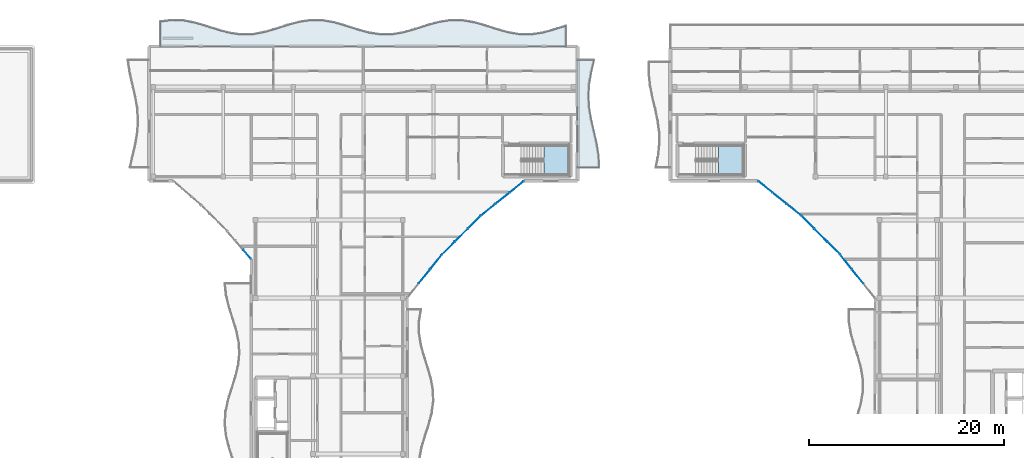
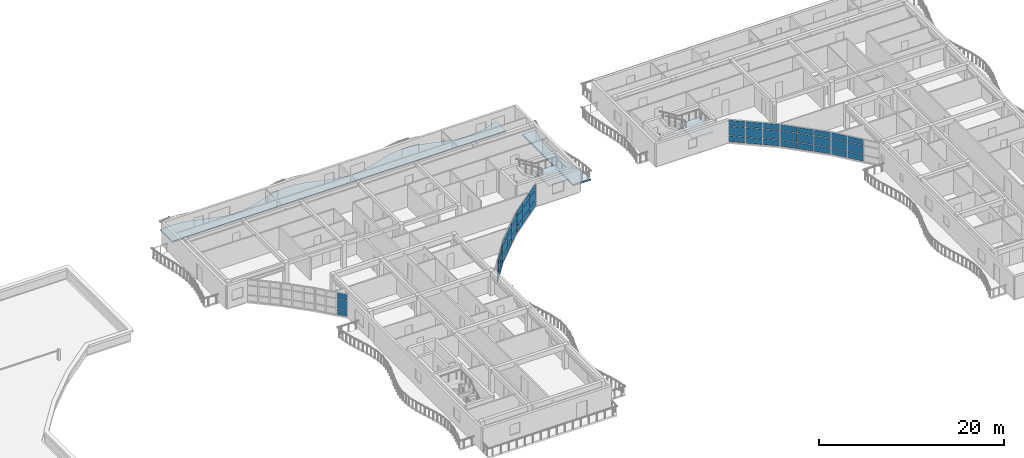
# One storey, part 19 of 39: 51 plates, 4 slabs, 9 elements without a shape of their own.
"""IFC4 building model written with IfcOpenShell, lengths in metres."""

from ifc_helpers import new_model, si_unit, direction, frame, origin, origin_2d, place, context, subcontext, project, spatial, polyline, rectangle, outline, extrude, material, layer, layer_set, type_object, element, aggregate, save


model = new_model("IFC4")

# Units and contexts
model_context = context("Model", 3, precision=1e-05, world=origin(), true_north=direction((0.0, 1.0)))
body_context = subcontext(model_context, "Body", "Model", "MODEL_VIEW")
ifc_project = project(units=[si_unit("LENGTHUNIT", "METRE"), si_unit("AREAUNIT", "SQUARE_METRE"), si_unit("VOLUMEUNIT", "CUBIC_METRE"), si_unit("PLANEANGLEUNIT", "RADIAN"), si_unit("MASSUNIT", "GRAM", prefix="KILO")], contexts=[model_context])

# Site, building, storey
site_placement = place(None, origin())
site = spatial("IfcSite", under=ifc_project, at=site_placement, CompositionType="ELEMENT")
building_placement = place(site_placement, origin())
building = spatial("IfcBuilding", under=site, at=building_placement, Name="Keldmere Railside Commons", CompositionType="ELEMENT")
storey_placement = place(building_placement, frame((0.0, 0.0, 32.9599609375)))
storey = spatial("IfcBuildingStorey", under=building, at=storey_placement, Name="L10", CompositionType="ELEMENT", Elevation=32.9599609375)

# Stair, slab
ifc_material_1 = material(Name="Concrete H-30 (C30/37)", Category="concrete")
stair_type_1 = type_object("IfcStairType", Name="Basement Garage Dogleg Escape Stair 1450", PredefinedType="HALF_TURN_STAIR", material=ifc_material_1)
stair_1_placement = place(storey_placement, origin())
stair_1 = element("IfcStair", 1, at=stair_1_placement, inside=storey, type_object=stair_type_1, Name="L10 Block B Secondary Escape Stair 2", PredefinedType="HALF_TURN_STAIR")
ifc_layer_1 = layer(ifc_material_1, 0.199951171875, Name="Enclosed Stair Landing Slab 200")
ifc_layer_set_1 = layer_set([ifc_layer_1], Name="Concrete H-30 (C30/37)")
slab_type_1 = type_object("IfcSlabType", Name="Enclosed Stair Landing Slab 200", PredefinedType="LANDING", material=ifc_layer_set_1)
slab_1_placement = place(storey_placement, frame((0.0, 0.0, 1.400146484375)))
slab_1 = element("IfcSlab", 2, at=slab_1_placement, type_object=slab_type_1, Name="ST-B2 landing 1", PredefinedType="LANDING", context=body_context, shape_type="SweptSolid", body=[
    extrude(outline(polyline([(134.02001953125, 100.60009765625), (136.60009765625, 100.60009765625), (136.60009765625, 103.64990234375), (134.02001953125, 103.64990234375), (134.02001953125, 100.60009765625)])), origin(), (0.0, 0.0, 1.0), 0.199951171875),
])
aggregate(stair_1, [slab_1])

stair_type_2 = type_object("IfcStairType", Name="Residential Core Dogleg Stair 1450", PredefinedType="HALF_TURN_STAIR", material=ifc_material_1)
stair_2_placement = place(storey_placement, origin())
stair_2 = element("IfcStair", 3, at=stair_2_placement, inside=storey, type_object=stair_type_2, Name="L10 Block A Secondary Escape Stair 2", PredefinedType="HALF_TURN_STAIR")
slab_2_placement = place(storey_placement, frame((0.0, 0.0, 1.400146484375)))
slab_2 = element("IfcSlab", 4, at=slab_2_placement, type_object=slab_type_1, Name="ST-A2 landing 1", PredefinedType="LANDING", context=body_context, shape_type="SweptSolid", body=[
    extrude(outline(polyline([(151.919921875, 100.60009765625), (154.5, 100.60009765625), (154.5, 103.64990234375), (151.919921875, 103.64990234375), (151.919921875, 100.60009765625)])), origin(), (0.0, 0.0, 1.0), 0.199951171875),
])
aggregate(stair_2, [slab_2])

# Curtain wall, plates
ifc_material_2 = material(Name="Thermally Broken Aluminium", Category="aluminium")
ifc_layer_2 = layer(ifc_material_2, 0.159912109375, Name="Court Chord Wintergarden CW 5400x2850")
ifc_layer_set_2 = layer_set([ifc_layer_2], Name="Thermally Broken Aluminium")
curtain_wall_type_1 = type_object("IfcCurtainWallType", Name="Court Chord Wintergarden CW 5400x2850", PredefinedType="NOTDEFINED", material=ifc_layer_set_2)
curtain_wall_1_placement = place(storey_placement, origin())
curtain_wall_1 = element("IfcCurtainWall", 5, at=curtain_wall_1_placement, inside=storey, type_object=curtain_wall_type_1, Name="CW-13 CW-L10-146", PredefinedType="NOTDEFINED")
ifc_material_3 = material(Name="Insulated Aluminium Spandrel Panel", Category="aluminium")
ifc_layer_3 = layer(ifc_material_3, 0.0439453125, Name="Insulated Ocher Spandrel Panel 44")
ifc_layer_set_3 = layer_set([ifc_layer_3], Name="Insulated Aluminium Spandrel Panel")
plate_type_1 = type_object("IfcPlateType", Name="Insulated Ocher Spandrel Panel 44", PredefinedType="CURTAIN_PANEL", material=ifc_layer_set_3)
plate_1_placement = place(storey_placement, frame((126.88916015625, 95.76513671875, 0.06494140625), z_axis=(0.0, 0.0, 1.0), x_axis=(-0.707106781187, -0.707106781187, 0.0)))
plate_1 = element("IfcPlate", 6, at=plate_1_placement, type_object=plate_type_1, Name="CW-13 panel 1.1", PredefinedType="CURTAIN_PANEL", context=body_context, shape_type="SweptSolid", body=[
    extrude(rectangle(XDim=1.795654296875, YDim=0.0439453125, at=origin_2d()), origin(), (0.0, 0.0, 1.0), 0.802490234375),
])
plate_2_placement = place(storey_placement, frame((126.88916015625, 95.76513671875, 0.9326171875), z_axis=(0.0, 0.0, 1.0), x_axis=(-0.707106781187, -0.707106781187, 0.0)))
plate_2 = element("IfcPlate", 7, at=plate_2_placement, type_object=plate_type_1, Name="CW-13 panel 1.2", PredefinedType="CURTAIN_PANEL", context=body_context, shape_type="SweptSolid", body=[
    extrude(rectangle(XDim=1.795654296875, YDim=0.0439453125, at=origin_2d()), origin(), (0.0, 0.0, 1.0), 1.18505859375),
])
plate_3_placement = place(storey_placement, frame((126.88916015625, 95.76513671875, 2.1826171875), z_axis=(0.0, 0.0, 1.0), x_axis=(-0.707106781187, -0.707106781187, 0.0)))
plate_3 = element("IfcPlate", 8, at=plate_3_placement, type_object=plate_type_1, Name="CW-13 panel 1.3", PredefinedType="CURTAIN_PANEL", context=body_context, shape_type="SweptSolid", body=[
    extrude(rectangle(XDim=1.795654296875, YDim=0.0439453125, at=origin_2d()), origin(), (0.0, 0.0, 1.0), 0.732421875),
])
plate_4_placement = place(storey_placement, frame((125.56201171875, 94.43798828125, 0.06494140625), z_axis=(0.0, 0.0, 1.0), x_axis=(-0.707106781187, -0.707106781187, 0.0)))
plate_4 = element("IfcPlate", 9, at=plate_4_placement, type_object=plate_type_1, Name="CW-13 panel 2.1", PredefinedType="CURTAIN_PANEL", context=body_context, shape_type="SweptSolid", body=[
    extrude(rectangle(XDim=1.828125, YDim=0.0439453125, at=origin_2d()), origin(), (0.0, 0.0, 1.0), 0.802490234375),
])
plate_5_placement = place(storey_placement, frame((125.56201171875, 94.43798828125, 0.9326171875), z_axis=(0.0, 0.0, 1.0), x_axis=(-0.707106781187, -0.707106781187, 0.0)))
plate_5 = element("IfcPlate", 10, at=plate_5_placement, type_object=plate_type_1, Name="CW-13 panel 2.2", PredefinedType="CURTAIN_PANEL", context=body_context, shape_type="SweptSolid", body=[
    extrude(rectangle(XDim=1.828125, YDim=0.0439453125, at=origin_2d()), origin(), (0.0, 0.0, 1.0), 1.18505859375),
])
plate_6_placement = place(storey_placement, frame((125.56201171875, 94.43798828125, 2.1826171875), z_axis=(0.0, 0.0, 1.0), x_axis=(-0.707106781187, -0.707106781187, 0.0)))
plate_6 = element("IfcPlate", 11, at=plate_6_placement, type_object=plate_type_1, Name="CW-13 panel 2.3", PredefinedType="CURTAIN_PANEL", context=body_context, shape_type="SweptSolid", body=[
    extrude(rectangle(XDim=1.828125, YDim=0.0439453125, at=origin_2d()), origin(), (0.0, 0.0, 1.0), 0.732421875),
])
plate_7_placement = place(storey_placement, frame((124.23486328125, 93.11083984375, 0.06494140625), z_axis=(0.0, 0.0, 1.0), x_axis=(-0.707106781187, -0.707106781187, 0.0)))
plate_7 = element("IfcPlate", 12, at=plate_7_placement, type_object=plate_type_1, Name="CW-13 panel 3.1", PredefinedType="CURTAIN_PANEL", context=body_context, shape_type="SweptSolid", body=[
    extrude(rectangle(XDim=1.795654296875, YDim=0.0439453125, at=origin_2d()), origin(), (0.0, 0.0, 1.0), 0.802490234375),
])
plate_8_placement = place(storey_placement, frame((124.23486328125, 93.11083984375, 0.9326171875), z_axis=(0.0, 0.0, 1.0), x_axis=(-0.707106781187, -0.707106781187, 0.0)))
plate_8 = element("IfcPlate", 13, at=plate_8_placement, type_object=plate_type_1, Name="CW-13 panel 3.2", PredefinedType="CURTAIN_PANEL", context=body_context, shape_type="SweptSolid", body=[
    extrude(rectangle(XDim=1.795654296875, YDim=0.0439453125, at=origin_2d()), origin(), (0.0, 0.0, 1.0), 1.18505859375),
])
plate_9_placement = place(storey_placement, frame((124.23486328125, 93.11083984375, 2.1826171875), z_axis=(0.0, 0.0, 1.0), x_axis=(-0.707106781187, -0.707106781187, 0.0)))
plate_9 = element("IfcPlate", 14, at=plate_9_placement, type_object=plate_type_1, Name="CW-13 panel 3.3", PredefinedType="CURTAIN_PANEL", context=body_context, shape_type="SweptSolid", body=[
    extrude(rectangle(XDim=1.795654296875, YDim=0.0439453125, at=origin_2d()), origin(), (0.0, 0.0, 1.0), 0.732421875),
])
aggregate(curtain_wall_1, [plate_1, plate_2, plate_3, plate_4, plate_5, plate_6, plate_7, plate_8, plate_9])

ifc_layer_4 = layer(ifc_material_2, 0.159912109375, Name="Court Chord Wintergarden CW 4800x2850")
ifc_layer_set_4 = layer_set([ifc_layer_4], Name="Thermally Broken Aluminium")
curtain_wall_type_2 = type_object("IfcCurtainWallType", Name="Court Chord Wintergarden CW 4800x2850", PredefinedType="NOTDEFINED", material=ifc_layer_set_4)
curtain_wall_2_placement = place(storey_placement, origin())
curtain_wall_2 = element("IfcCurtainWall", 15, at=curtain_wall_2_placement, inside=storey, type_object=curtain_wall_type_2, Name="CW-12 CW-L10-150", PredefinedType="NOTDEFINED")
plate_10_placement = place(storey_placement, frame((103.57763671875, 92.488525390625, 0.06494140625), z_axis=(0.0, 0.0, 1.0), x_axis=(-0.653881741053, 0.756596767584, 0.0)))
plate_10 = element("IfcPlate", 16, at=plate_10_placement, type_object=plate_type_1, Name="CW-12 panel 1.1", PredefinedType="CURTAIN_PANEL", context=body_context, shape_type="SweptSolid", body=[
    extrude(rectangle(XDim=1.16162109375, YDim=0.0439453125, at=origin_2d()), origin(), (0.0, 0.0, 1.0), 0.802490234375),
])
plate_11_placement = place(storey_placement, frame((103.57763671875, 92.488525390625, 0.9326171875), z_axis=(0.0, 0.0, 1.0), x_axis=(-0.653881741053, 0.756596767584, 0.0)))
plate_11 = element("IfcPlate", 17, at=plate_11_placement, type_object=plate_type_1, Name="CW-12 panel 1.2", PredefinedType="CURTAIN_PANEL", context=body_context, shape_type="SweptSolid", body=[
    extrude(rectangle(XDim=1.16162109375, YDim=0.0439453125, at=origin_2d()), origin(), (0.0, 0.0, 1.0), 1.18505859375),
])
plate_12_placement = place(storey_placement, frame((103.57763671875, 92.488525390625, 2.1826171875), z_axis=(0.0, 0.0, 1.0), x_axis=(-0.653881741053, 0.756596767584, 0.0)))
plate_12 = element("IfcPlate", 18, at=plate_12_placement, type_object=plate_type_1, Name="CW-12 panel 1.3", PredefinedType="CURTAIN_PANEL", context=body_context, shape_type="SweptSolid", body=[
    extrude(rectangle(XDim=1.16162109375, YDim=0.0439453125, at=origin_2d()), origin(), (0.0, 0.0, 1.0), 0.732421875),
])
aggregate(curtain_wall_2, [plate_10, plate_11, plate_12])

curtain_wall_3_placement = place(storey_placement, origin())
curtain_wall_3 = element("IfcCurtainWall", 19, at=curtain_wall_3_placement, inside=storey, type_object=curtain_wall_type_2, Name="CW-12 CW-L10-188", PredefinedType="NOTDEFINED")
plate_13_placement = place(storey_placement, frame((163.76513671875, 93.11083984375, 0.06494140625), z_axis=(0.0, 0.0, 1.0), x_axis=(-0.707106781187, 0.707106781187, 0.0)))
plate_13 = element("IfcPlate", 20, at=plate_13_placement, type_object=plate_type_1, Name="CW-12 panel 1.1", PredefinedType="CURTAIN_PANEL", context=body_context, shape_type="SweptSolid", body=[
    extrude(rectangle(XDim=1.795654296875, YDim=0.0439453125, at=origin_2d()), origin(), (0.0, 0.0, 1.0), 0.802490234375),
])
plate_14_placement = place(storey_placement, frame((163.76513671875, 93.11083984375, 0.9326171875), z_axis=(0.0, 0.0, 1.0), x_axis=(-0.707106781187, 0.707106781187, 0.0)))
plate_14 = element("IfcPlate", 21, at=plate_14_placement, type_object=plate_type_1, Name="CW-12 panel 1.2", PredefinedType="CURTAIN_PANEL", context=body_context, shape_type="SweptSolid", body=[
    extrude(rectangle(XDim=1.795654296875, YDim=0.0439453125, at=origin_2d()), origin(), (0.0, 0.0, 1.0), 1.18505859375),
])
plate_15_placement = place(storey_placement, frame((163.76513671875, 93.11083984375, 2.1826171875), z_axis=(0.0, 0.0, 1.0), x_axis=(-0.707106781187, 0.707106781187, 0.0)))
plate_15 = element("IfcPlate", 22, at=plate_15_placement, type_object=plate_type_1, Name="CW-12 panel 1.3", PredefinedType="CURTAIN_PANEL", context=body_context, shape_type="SweptSolid", body=[
    extrude(rectangle(XDim=1.795654296875, YDim=0.0439453125, at=origin_2d()), origin(), (0.0, 0.0, 1.0), 0.732421875),
])
plate_16_placement = place(storey_placement, frame((162.43798828125, 94.43798828125, 0.06494140625), z_axis=(0.0, 0.0, 1.0), x_axis=(-0.707106781187, 0.707106781187, 0.0)))
plate_16 = element("IfcPlate", 23, at=plate_16_placement, type_object=plate_type_1, Name="CW-12 panel 2.1", PredefinedType="CURTAIN_PANEL", context=body_context, shape_type="SweptSolid", body=[
    extrude(rectangle(XDim=1.828125, YDim=0.0439453125, at=origin_2d()), origin(), (0.0, 0.0, 1.0), 0.802490234375),
])
plate_17_placement = place(storey_placement, frame((162.43798828125, 94.43798828125, 0.9326171875), z_axis=(0.0, 0.0, 1.0), x_axis=(-0.707106781187, 0.707106781187, 0.0)))
plate_17 = element("IfcPlate", 24, at=plate_17_placement, type_object=plate_type_1, Name="CW-12 panel 2.2", PredefinedType="CURTAIN_PANEL", context=body_context, shape_type="SweptSolid", body=[
    extrude(rectangle(XDim=1.828125, YDim=0.0439453125, at=origin_2d()), origin(), (0.0, 0.0, 1.0), 1.18505859375),
])
plate_18_placement = place(storey_placement, frame((162.43798828125, 94.43798828125, 2.1826171875), z_axis=(0.0, 0.0, 1.0), x_axis=(-0.707106781187, 0.707106781187, 0.0)))
plate_18 = element("IfcPlate", 25, at=plate_18_placement, type_object=plate_type_1, Name="CW-12 panel 2.3", PredefinedType="CURTAIN_PANEL", context=body_context, shape_type="SweptSolid", body=[
    extrude(rectangle(XDim=1.828125, YDim=0.0439453125, at=origin_2d()), origin(), (0.0, 0.0, 1.0), 0.732421875),
])
plate_19_placement = place(storey_placement, frame((161.11083984375, 95.76513671875, 0.06494140625), z_axis=(0.0, 0.0, 1.0), x_axis=(-0.707106781187, 0.707106781187, 0.0)))
plate_19 = element("IfcPlate", 26, at=plate_19_placement, type_object=plate_type_1, Name="CW-12 panel 3.1", PredefinedType="CURTAIN_PANEL", context=body_context, shape_type="SweptSolid", body=[
    extrude(rectangle(XDim=1.795654296875, YDim=0.0439453125, at=origin_2d()), origin(), (0.0, 0.0, 1.0), 0.802490234375),
])
plate_20_placement = place(storey_placement, frame((161.11083984375, 95.76513671875, 0.9326171875), z_axis=(0.0, 0.0, 1.0), x_axis=(-0.707106781187, 0.707106781187, 0.0)))
plate_20 = element("IfcPlate", 27, at=plate_20_placement, type_object=plate_type_1, Name="CW-12 panel 3.2", PredefinedType="CURTAIN_PANEL", context=body_context, shape_type="SweptSolid", body=[
    extrude(rectangle(XDim=1.795654296875, YDim=0.0439453125, at=origin_2d()), origin(), (0.0, 0.0, 1.0), 1.18505859375),
])
plate_21_placement = place(storey_placement, frame((161.11083984375, 95.76513671875, 2.1826171875), z_axis=(0.0, 0.0, 1.0), x_axis=(-0.707106781187, 0.707106781187, 0.0)))
plate_21 = element("IfcPlate", 28, at=plate_21_placement, type_object=plate_type_1, Name="CW-12 panel 3.3", PredefinedType="CURTAIN_PANEL", context=body_context, shape_type="SweptSolid", body=[
    extrude(rectangle(XDim=1.795654296875, YDim=0.0439453125, at=origin_2d()), origin(), (0.0, 0.0, 1.0), 0.732421875),
])
aggregate(curtain_wall_3, [plate_13, plate_14, plate_15, plate_16, plate_17, plate_18, plate_19, plate_20, plate_21])

curtain_wall_4_placement = place(storey_placement, origin())
curtain_wall_4 = element("IfcCurtainWall", 29, at=curtain_wall_4_placement, inside=storey, type_object=curtain_wall_type_2, Name="CW-12 CW-L10-145", PredefinedType="NOTDEFINED")
ifc_layer_5 = layer(ifc_material_3, 0.050048828125, Name="Insulated Terracotta Spandrel Panel 50")
ifc_layer_set_5 = layer_set([ifc_layer_5], Name="Insulated Aluminium Spandrel Panel")
plate_type_2 = type_object("IfcPlateType", Name="Insulated Terracotta Spandrel Panel 50", PredefinedType="CURTAIN_PANEL", material=ifc_layer_set_5)
plate_22_placement = place(storey_placement, frame((122.951416015625, 91.678955078125, 0.06494140625), z_axis=(0.0, 0.0, 1.0), x_axis=(-0.625768080915, -0.780009172323, 0.0)))
plate_22 = element("IfcPlate", 30, at=plate_22_placement, type_object=plate_type_2, Name="CW-12 panel 1.1", PredefinedType="CURTAIN_PANEL", context=body_context, shape_type="SweptSolid", body=[
    extrude(rectangle(XDim=1.795654296875, YDim=0.050048828125, at=origin_2d()), origin(), (0.0, 0.0, 1.0), 0.802490234375),
])
plate_23_placement = place(storey_placement, frame((122.951416015625, 91.678955078125, 0.9326171875), z_axis=(0.0, 0.0, 1.0), x_axis=(-0.625768080915, -0.780009172323, 0.0)))
plate_23 = element("IfcPlate", 31, at=plate_23_placement, type_object=plate_type_2, Name="CW-12 panel 1.2", PredefinedType="CURTAIN_PANEL", context=body_context, shape_type="SweptSolid", body=[
    extrude(rectangle(XDim=1.795654296875, YDim=0.050048828125, at=origin_2d()), origin(), (0.0, 0.0, 1.0), 1.18505859375),
])
plate_24_placement = place(storey_placement, frame((122.951416015625, 91.678955078125, 2.1826171875), z_axis=(0.0, 0.0, 1.0), x_axis=(-0.625768080915, -0.780009172323, 0.0)))
plate_24 = element("IfcPlate", 32, at=plate_24_placement, type_object=plate_type_2, Name="CW-12 panel 1.3", PredefinedType="CURTAIN_PANEL", context=body_context, shape_type="SweptSolid", body=[
    extrude(rectangle(XDim=1.795654296875, YDim=0.050048828125, at=origin_2d()), origin(), (0.0, 0.0, 1.0), 0.732421875),
])
plate_25_placement = place(storey_placement, frame((121.777099609375, 90.215087890625, 0.06494140625), z_axis=(0.0, 0.0, 1.0), x_axis=(-0.625768080915, -0.780009172323, 0.0)))
plate_25 = element("IfcPlate", 33, at=plate_25_placement, type_object=plate_type_2, Name="CW-12 panel 2.1", PredefinedType="CURTAIN_PANEL", context=body_context, shape_type="SweptSolid", body=[
    extrude(rectangle(XDim=1.828125, YDim=0.050048828125, at=origin_2d()), origin(), (0.0, 0.0, 1.0), 0.802490234375),
])
plate_26_placement = place(storey_placement, frame((121.777099609375, 90.215087890625, 0.9326171875), z_axis=(0.0, 0.0, 1.0), x_axis=(-0.625768080915, -0.780009172323, 0.0)))
plate_26 = element("IfcPlate", 34, at=plate_26_placement, type_object=plate_type_2, Name="CW-12 panel 2.2", PredefinedType="CURTAIN_PANEL", context=body_context, shape_type="SweptSolid", body=[
    extrude(rectangle(XDim=1.828125, YDim=0.050048828125, at=origin_2d()), origin(), (0.0, 0.0, 1.0), 1.18505859375),
])
plate_27_placement = place(storey_placement, frame((121.777099609375, 90.215087890625, 2.1826171875), z_axis=(0.0, 0.0, 1.0), x_axis=(-0.625768080915, -0.780009172323, 0.0)))
plate_27 = element("IfcPlate", 35, at=plate_27_placement, type_object=plate_type_2, Name="CW-12 panel 2.3", PredefinedType="CURTAIN_PANEL", context=body_context, shape_type="SweptSolid", body=[
    extrude(rectangle(XDim=1.828125, YDim=0.050048828125, at=origin_2d()), origin(), (0.0, 0.0, 1.0), 0.732421875),
])
aggregate(curtain_wall_4, [plate_22, plate_23, plate_24, plate_25, plate_26, plate_27])

curtain_wall_5_placement = place(storey_placement, origin())
curtain_wall_5 = element("IfcCurtainWall", 36, at=curtain_wall_5_placement, inside=storey, type_object=curtain_wall_type_2, Name="CW-12 CW-L10-147", PredefinedType="NOTDEFINED")
plate_28_placement = place(storey_placement, frame((131.2490234375, 99.3974609375, 0.06494140625), z_axis=(0.0, 0.0, 1.0), x_axis=(-0.780009172323, -0.625768080915, 0.0)))
plate_28 = element("IfcPlate", 37, at=plate_28_placement, type_object=plate_type_2, Name="CW-12 panel 1.1", PredefinedType="CURTAIN_PANEL", context=body_context, shape_type="SweptSolid", body=[
    extrude(rectangle(XDim=1.795654296875, YDim=0.050048828125, at=origin_2d()), origin(), (0.0, 0.0, 1.0), 0.802490234375),
])
plate_29_placement = place(storey_placement, frame((131.2490234375, 99.3974609375, 0.9326171875), z_axis=(0.0, 0.0, 1.0), x_axis=(-0.780009172323, -0.625768080915, 0.0)))
plate_29 = element("IfcPlate", 38, at=plate_29_placement, type_object=plate_type_2, Name="CW-12 panel 1.2", PredefinedType="CURTAIN_PANEL", context=body_context, shape_type="SweptSolid", body=[
    extrude(rectangle(XDim=1.795654296875, YDim=0.050048828125, at=origin_2d()), origin(), (0.0, 0.0, 1.0), 1.18505859375),
])
plate_30_placement = place(storey_placement, frame((131.2490234375, 99.3974609375, 2.1826171875), z_axis=(0.0, 0.0, 1.0), x_axis=(-0.780009172323, -0.625768080915, 0.0)))
plate_30 = element("IfcPlate", 39, at=plate_30_placement, type_object=plate_type_2, Name="CW-12 panel 1.3", PredefinedType="CURTAIN_PANEL", context=body_context, shape_type="SweptSolid", body=[
    extrude(rectangle(XDim=1.795654296875, YDim=0.050048828125, at=origin_2d()), origin(), (0.0, 0.0, 1.0), 0.732421875),
])
plate_31_placement = place(storey_placement, frame((129.784912109375, 98.222900390625, 0.06494140625), z_axis=(0.0, 0.0, 1.0), x_axis=(-0.780009172323, -0.625768080915, 0.0)))
plate_31 = element("IfcPlate", 40, at=plate_31_placement, type_object=plate_type_2, Name="CW-12 panel 2.1", PredefinedType="CURTAIN_PANEL", context=body_context, shape_type="SweptSolid", body=[
    extrude(rectangle(XDim=1.828125, YDim=0.050048828125, at=origin_2d()), origin(), (0.0, 0.0, 1.0), 0.802490234375),
])
plate_32_placement = place(storey_placement, frame((129.784912109375, 98.222900390625, 0.9326171875), z_axis=(0.0, 0.0, 1.0), x_axis=(-0.780009172323, -0.625768080915, 0.0)))
plate_32 = element("IfcPlate", 41, at=plate_32_placement, type_object=plate_type_2, Name="CW-12 panel 2.2", PredefinedType="CURTAIN_PANEL", context=body_context, shape_type="SweptSolid", body=[
    extrude(rectangle(XDim=1.828125, YDim=0.050048828125, at=origin_2d()), origin(), (0.0, 0.0, 1.0), 1.18505859375),
])
plate_33_placement = place(storey_placement, frame((129.784912109375, 98.222900390625, 2.1826171875), z_axis=(0.0, 0.0, 1.0), x_axis=(-0.780009172323, -0.625768080915, 0.0)))
plate_33 = element("IfcPlate", 42, at=plate_33_placement, type_object=plate_type_2, Name="CW-12 panel 2.3", PredefinedType="CURTAIN_PANEL", context=body_context, shape_type="SweptSolid", body=[
    extrude(rectangle(XDim=1.828125, YDim=0.050048828125, at=origin_2d()), origin(), (0.0, 0.0, 1.0), 0.732421875),
])
plate_34_placement = place(storey_placement, frame((128.321044921875, 97.048583984375, 0.06494140625), z_axis=(0.0, 0.0, 1.0), x_axis=(-0.780009172323, -0.625768080915, 0.0)))
plate_34 = element("IfcPlate", 43, at=plate_34_placement, type_object=plate_type_2, Name="CW-12 panel 3.1", PredefinedType="CURTAIN_PANEL", context=body_context, shape_type="SweptSolid", body=[
    extrude(rectangle(XDim=1.795654296875, YDim=0.050048828125, at=origin_2d()), origin(), (0.0, 0.0, 1.0), 0.802490234375),
])
plate_35_placement = place(storey_placement, frame((128.321044921875, 97.048583984375, 0.9326171875), z_axis=(0.0, 0.0, 1.0), x_axis=(-0.780009172323, -0.625768080915, 0.0)))
plate_35 = element("IfcPlate", 44, at=plate_35_placement, type_object=plate_type_2, Name="CW-12 panel 3.2", PredefinedType="CURTAIN_PANEL", context=body_context, shape_type="SweptSolid", body=[
    extrude(rectangle(XDim=1.795654296875, YDim=0.050048828125, at=origin_2d()), origin(), (0.0, 0.0, 1.0), 1.18505859375),
])
plate_36_placement = place(storey_placement, frame((128.321044921875, 97.048583984375, 2.1826171875), z_axis=(0.0, 0.0, 1.0), x_axis=(-0.780009172323, -0.625768080915, 0.0)))
plate_36 = element("IfcPlate", 45, at=plate_36_placement, type_object=plate_type_2, Name="CW-12 panel 3.3", PredefinedType="CURTAIN_PANEL", context=body_context, shape_type="SweptSolid", body=[
    extrude(rectangle(XDim=1.795654296875, YDim=0.050048828125, at=origin_2d()), origin(), (0.0, 0.0, 1.0), 0.732421875),
])
aggregate(curtain_wall_5, [plate_28, plate_29, plate_30, plate_31, plate_32, plate_33, plate_34, plate_35, plate_36])

curtain_wall_6_placement = place(storey_placement, origin())
curtain_wall_6 = element("IfcCurtainWall", 46, at=curtain_wall_6_placement, inside=storey, type_object=curtain_wall_type_1, Name="CW-13 CW-L10-187", PredefinedType="NOTDEFINED")
plate_37_placement = place(storey_placement, frame((159.678955078125, 97.048583984375, 0.06494140625), z_axis=(0.0, 0.0, 1.0), x_axis=(-0.780009172323, 0.625768080915, 0.0)))
plate_37 = element("IfcPlate", 47, at=plate_37_placement, type_object=plate_type_2, Name="CW-13 panel 1.1", PredefinedType="CURTAIN_PANEL", context=body_context, shape_type="SweptSolid", body=[
    extrude(rectangle(XDim=1.795654296875, YDim=0.050048828125, at=origin_2d()), origin(), (0.0, 0.0, 1.0), 0.802490234375),
])
plate_38_placement = place(storey_placement, frame((159.678955078125, 97.048583984375, 0.9326171875), z_axis=(0.0, 0.0, 1.0), x_axis=(-0.780009172323, 0.625768080915, 0.0)))
plate_38 = element("IfcPlate", 48, at=plate_38_placement, type_object=plate_type_2, Name="CW-13 panel 1.2", PredefinedType="CURTAIN_PANEL", context=body_context, shape_type="SweptSolid", body=[
    extrude(rectangle(XDim=1.795654296875, YDim=0.050048828125, at=origin_2d()), origin(), (0.0, 0.0, 1.0), 1.18505859375),
])
plate_39_placement = place(storey_placement, frame((159.678955078125, 97.048583984375, 2.1826171875), z_axis=(0.0, 0.0, 1.0), x_axis=(-0.780009172323, 0.625768080915, 0.0)))
plate_39 = element("IfcPlate", 49, at=plate_39_placement, type_object=plate_type_2, Name="CW-13 panel 1.3", PredefinedType="CURTAIN_PANEL", context=body_context, shape_type="SweptSolid", body=[
    extrude(rectangle(XDim=1.795654296875, YDim=0.050048828125, at=origin_2d()), origin(), (0.0, 0.0, 1.0), 0.732421875),
])
plate_40_placement = place(storey_placement, frame((158.215087890625, 98.222900390625, 0.06494140625), z_axis=(0.0, 0.0, 1.0), x_axis=(-0.780009172323, 0.625768080915, 0.0)))
plate_40 = element("IfcPlate", 50, at=plate_40_placement, type_object=plate_type_2, Name="CW-13 panel 2.1", PredefinedType="CURTAIN_PANEL", context=body_context, shape_type="SweptSolid", body=[
    extrude(rectangle(XDim=1.828125, YDim=0.050048828125, at=origin_2d()), origin(), (0.0, 0.0, 1.0), 0.802490234375),
])
plate_41_placement = place(storey_placement, frame((158.215087890625, 98.222900390625, 0.9326171875), z_axis=(0.0, 0.0, 1.0), x_axis=(-0.780009172323, 0.625768080915, 0.0)))
plate_41 = element("IfcPlate", 51, at=plate_41_placement, type_object=plate_type_2, Name="CW-13 panel 2.2", PredefinedType="CURTAIN_PANEL", context=body_context, shape_type="SweptSolid", body=[
    extrude(rectangle(XDim=1.828125, YDim=0.050048828125, at=origin_2d()), origin(), (0.0, 0.0, 1.0), 1.18505859375),
])
plate_42_placement = place(storey_placement, frame((158.215087890625, 98.222900390625, 2.1826171875), z_axis=(0.0, 0.0, 1.0), x_axis=(-0.780009172323, 0.625768080915, 0.0)))
plate_42 = element("IfcPlate", 52, at=plate_42_placement, type_object=plate_type_2, Name="CW-13 panel 2.3", PredefinedType="CURTAIN_PANEL", context=body_context, shape_type="SweptSolid", body=[
    extrude(rectangle(XDim=1.828125, YDim=0.050048828125, at=origin_2d()), origin(), (0.0, 0.0, 1.0), 0.732421875),
])
plate_43_placement = place(storey_placement, frame((156.7509765625, 99.3974609375, 0.06494140625), z_axis=(0.0, 0.0, 1.0), x_axis=(-0.780009172323, 0.625768080915, 0.0)))
plate_43 = element("IfcPlate", 53, at=plate_43_placement, type_object=plate_type_2, Name="CW-13 panel 3.1", PredefinedType="CURTAIN_PANEL", context=body_context, shape_type="SweptSolid", body=[
    extrude(rectangle(XDim=1.795654296875, YDim=0.050048828125, at=origin_2d()), origin(), (0.0, 0.0, 1.0), 0.802490234375),
])
plate_44_placement = place(storey_placement, frame((156.7509765625, 99.3974609375, 0.9326171875), z_axis=(0.0, 0.0, 1.0), x_axis=(-0.780009172323, 0.625768080915, 0.0)))
plate_44 = element("IfcPlate", 54, at=plate_44_placement, type_object=plate_type_2, Name="CW-13 panel 3.2", PredefinedType="CURTAIN_PANEL", context=body_context, shape_type="SweptSolid", body=[
    extrude(rectangle(XDim=1.795654296875, YDim=0.050048828125, at=origin_2d()), origin(), (0.0, 0.0, 1.0), 1.18505859375),
])
plate_45_placement = place(storey_placement, frame((156.7509765625, 99.3974609375, 2.1826171875), z_axis=(0.0, 0.0, 1.0), x_axis=(-0.780009172323, 0.625768080915, 0.0)))
plate_45 = element("IfcPlate", 55, at=plate_45_placement, type_object=plate_type_2, Name="CW-13 panel 3.3", PredefinedType="CURTAIN_PANEL", context=body_context, shape_type="SweptSolid", body=[
    extrude(rectangle(XDim=1.795654296875, YDim=0.050048828125, at=origin_2d()), origin(), (0.0, 0.0, 1.0), 0.732421875),
])
aggregate(curtain_wall_6, [plate_37, plate_38, plate_39, plate_40, plate_41, plate_42, plate_43, plate_44, plate_45])

curtain_wall_7_placement = place(storey_placement, origin())
curtain_wall_7 = element("IfcCurtainWall", 56, at=curtain_wall_7_placement, inside=storey, type_object=curtain_wall_type_1, Name="CW-13 CW-L10-189", PredefinedType="NOTDEFINED")
plate_46_placement = place(storey_placement, frame((166.222900390625, 90.215087890625, 0.06494140625), z_axis=(0.0, 0.0, 1.0), x_axis=(-0.625768080915, 0.780009172323, 0.0)))
plate_46 = element("IfcPlate", 57, at=plate_46_placement, type_object=plate_type_2, Name="CW-13 panel 2.1", PredefinedType="CURTAIN_PANEL", context=body_context, shape_type="SweptSolid", body=[
    extrude(rectangle(XDim=1.828125, YDim=0.050048828125, at=origin_2d()), origin(), (0.0, 0.0, 1.0), 0.802490234375),
])
plate_47_placement = place(storey_placement, frame((166.222900390625, 90.215087890625, 0.9326171875), z_axis=(0.0, 0.0, 1.0), x_axis=(-0.625768080915, 0.780009172323, 0.0)))
plate_47 = element("IfcPlate", 58, at=plate_47_placement, type_object=plate_type_2, Name="CW-13 panel 2.2", PredefinedType="CURTAIN_PANEL", context=body_context, shape_type="SweptSolid", body=[
    extrude(rectangle(XDim=1.828125, YDim=0.050048828125, at=origin_2d()), origin(), (0.0, 0.0, 1.0), 1.18505859375),
])
plate_48_placement = place(storey_placement, frame((166.222900390625, 90.215087890625, 2.1826171875), z_axis=(0.0, 0.0, 1.0), x_axis=(-0.625768080915, 0.780009172323, 0.0)))
plate_48 = element("IfcPlate", 59, at=plate_48_placement, type_object=plate_type_2, Name="CW-13 panel 2.3", PredefinedType="CURTAIN_PANEL", context=body_context, shape_type="SweptSolid", body=[
    extrude(rectangle(XDim=1.828125, YDim=0.050048828125, at=origin_2d()), origin(), (0.0, 0.0, 1.0), 0.732421875),
])
plate_49_placement = place(storey_placement, frame((165.048583984375, 91.678955078125, 0.06494140625), z_axis=(0.0, 0.0, 1.0), x_axis=(-0.625768080915, 0.780009172323, 0.0)))
plate_49 = element("IfcPlate", 60, at=plate_49_placement, type_object=plate_type_2, Name="CW-13 panel 3.1", PredefinedType="CURTAIN_PANEL", context=body_context, shape_type="SweptSolid", body=[
    extrude(rectangle(XDim=1.795654296875, YDim=0.050048828125, at=origin_2d()), origin(), (0.0, 0.0, 1.0), 0.802490234375),
])
plate_50_placement = place(storey_placement, frame((165.048583984375, 91.678955078125, 0.9326171875), z_axis=(0.0, 0.0, 1.0), x_axis=(-0.625768080915, 0.780009172323, 0.0)))
plate_50 = element("IfcPlate", 61, at=plate_50_placement, type_object=plate_type_2, Name="CW-13 panel 3.2", PredefinedType="CURTAIN_PANEL", context=body_context, shape_type="SweptSolid", body=[
    extrude(rectangle(XDim=1.795654296875, YDim=0.050048828125, at=origin_2d()), origin(), (0.0, 0.0, 1.0), 1.18505859375),
])
plate_51_placement = place(storey_placement, frame((165.048583984375, 91.678955078125, 2.1826171875), z_axis=(0.0, 0.0, 1.0), x_axis=(-0.625768080915, 0.780009172323, 0.0)))
plate_51 = element("IfcPlate", 62, at=plate_51_placement, type_object=plate_type_2, Name="CW-13 panel 3.3", PredefinedType="CURTAIN_PANEL", context=body_context, shape_type="SweptSolid", body=[
    extrude(rectangle(XDim=1.795654296875, YDim=0.050048828125, at=origin_2d()), origin(), (0.0, 0.0, 1.0), 0.732421875),
])
aggregate(curtain_wall_7, [plate_46, plate_47, plate_48, plate_49, plate_50, plate_51])

# Slabs
ifc_material_4 = material(Name="White Precast Concrete H-35 (C35/45)", Category="concrete")
ifc_layer_6 = layer(ifc_material_4, 0.179931640625, Name="Sinusoidal Wave Balcony Slab 180")
ifc_layer_set_6 = layer_set([ifc_layer_6], Name="White Precast Concrete H-35 (C35/45)")
slab_type_2 = type_object("IfcSlabType", Name="Sinusoidal Wave Balcony Slab 180", PredefinedType="FLOOR", material=ifc_layer_set_6)
slab_3_placement = place(storey_placement, frame((0.0, 0.0, -0.179931640625)))
element("IfcSlab", 63, at=slab_3_placement, inside=storey, type_object=slab_type_2, Name="WB-1 B L10 N Wave Balcony", PredefinedType="FLOOR", context=body_context, shape_type="SweptSolid", body=[
    extrude(outline(polyline([(94.699951171875, 113.800048828125), (95.888671875, 113.800048828125), (97.0771484375, 113.800048828125), (98.265625, 113.800048828125), (99.454345703125, 113.800048828125), (100.642822265625, 113.800048828125), (101.831298828125, 113.800048828125), (103.02001953125, 113.800048828125), (104.20849609375, 113.800048828125), (105.397216796875, 113.800048828125), (106.585693359375, 113.800048828125), (107.7744140625, 113.800048828125), (108.962890625, 113.800048828125), (110.1513671875, 113.800048828125), (111.340087890625, 113.800048828125), (112.528564453125, 113.800048828125), (113.717041015625, 113.800048828125), (114.90576171875, 113.800048828125), (116.09423828125, 113.800048828125), (117.282958984375, 113.800048828125), (118.471435546875, 113.800048828125), (119.659912109375, 113.800048828125), (120.8486328125, 113.800048828125), (122.037109375, 113.800048828125), (123.2255859375, 113.800048828125), (124.414306640625, 113.800048828125), (125.602783203125, 113.800048828125), (126.79150390625, 113.800048828125), (127.97998046875, 113.800048828125), (129.168701171875, 113.800048828125), (130.357177734375, 113.800048828125), (131.545654296875, 113.800048828125), (132.734375, 113.800048828125), (133.9228515625, 113.800048828125), (135.111328125, 113.800048828125), (136.300048828125, 113.800048828125), (136.300048828125, 115.91259765625), (135.111328125, 115.5283203125), (133.9228515625, 115.202392578125), (132.734375, 115.0205078125), (131.545654296875, 115.0302734375), (130.357177734375, 115.2294921875), (129.168701171875, 115.5654296875), (127.97998046875, 115.9501953125), (126.79150390625, 116.281982421875), (125.602783203125, 116.47412109375), (124.414306640625, 116.4755859375), (123.2255859375, 116.28662109375), (122.037109375, 115.956298828125), (120.8486328125, 115.57177734375), (119.659912109375, 115.23388671875), (118.471435546875, 115.031982421875), (117.282958984375, 115.018798828125), (116.09423828125, 115.197998046875), (114.90576171875, 115.522216796875), (113.717041015625, 115.906494140625), (112.528564453125, 116.24951171875), (111.340087890625, 116.461181640625), (110.1513671875, 116.48583984375), (108.962890625, 116.31689453125), (107.7744140625, 115.9990234375), (106.585693359375, 115.615478515625), (105.397216796875, 115.267578125), (104.20849609375, 115.04638671875), (103.02001953125, 115.01025390625), (101.831298828125, 115.168701171875), (100.642822265625, 115.47998046875), (99.454345703125, 115.8623046875), (98.265625, 116.215087890625), (97.0771484375, 116.445556640625), (95.888671875, 116.4931640625), (94.699951171875, 116.34521484375), (94.699951171875, 113.800048828125)])), origin(), (0.0, 0.0, 1.0), 0.179931640625),
])
slab_4_placement = place(storey_placement, frame((0.0, 0.0, -0.179931640625)))
element("IfcSlab", 64, at=slab_4_placement, inside=storey, type_object=slab_type_2, Name="WB-1 B L10 WE Wave Balcony", PredefinedType="FLOOR", context=body_context, shape_type="SweptSolid", body=[
    extrude(outline(polyline([(139.69921875, 101.39990234375), (139.637939453125, 102.622314453125), (139.44140625, 103.844482421875), (139.163818359375, 105.066650390625), (138.88232421875, 106.288818359375), (138.67529296875, 107.510986328125), (138.60009765625, 108.7333984375), (138.677490234375, 109.95556640625), (138.88623046875, 111.177734375), (139.168212890625, 112.39990234375), (137.5, 112.39990234375), (137.5, 111.177734375), (137.5, 109.95556640625), (137.5, 108.7333984375), (137.5, 107.510986328125), (137.5, 106.288818359375), (137.5, 105.066650390625), (137.5, 103.844482421875), (137.5, 102.622314453125), (137.5, 101.39990234375), (139.69921875, 101.39990234375)])), origin(), (0.0, 0.0, 1.0), 0.179931640625),
])

save(model, "model.ifc")
